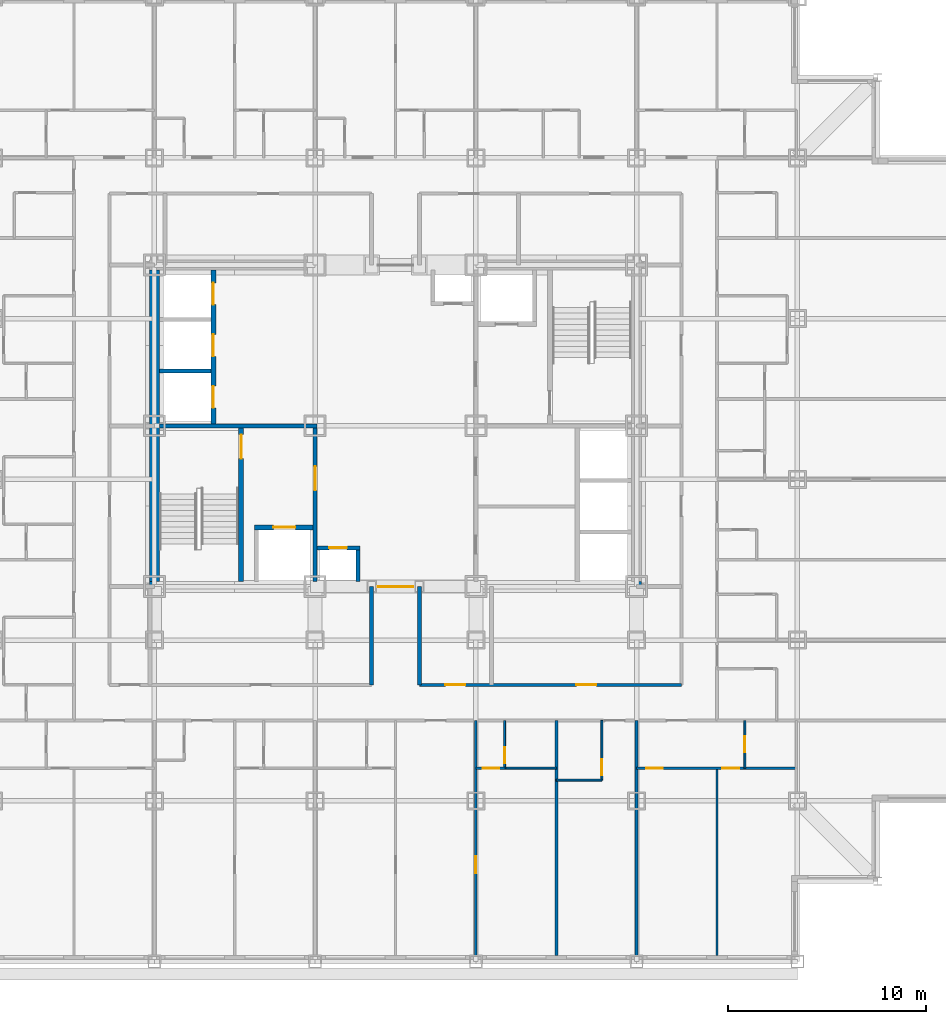
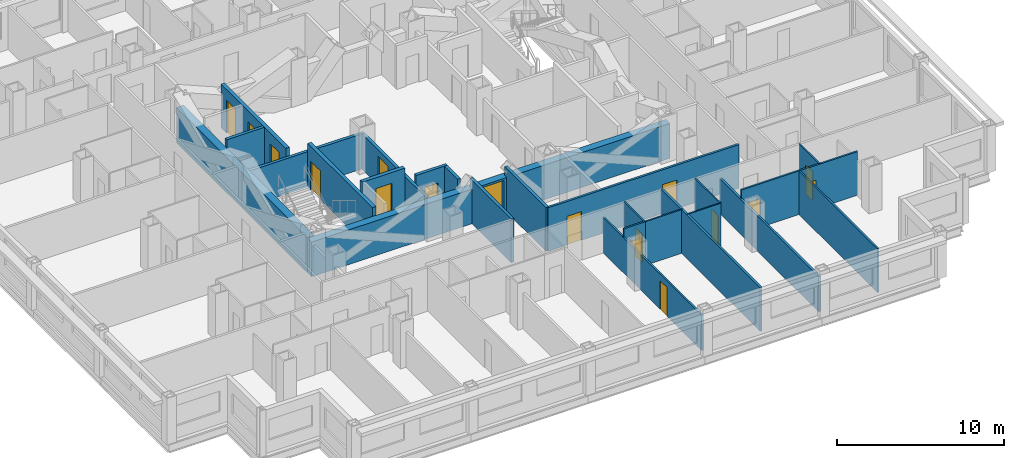
# One storey, part 6 of 12: 24 walls, 17 doors, 17 openings.
"""IFC4 building model written with IfcOpenShell, lengths in metres."""

from ifc_helpers import new_model, si_unit, direction, frame, frame_2d, origin, place, context, subcontext, project, spatial, rectangle, extrude, material, layer, layer_set, type_object, element, fill, save


model = new_model("IFC4")

# Units and contexts
model_context = context("Model", 3, precision=1e-05, world=origin(), true_north=direction((0.0, 1.0)))
body_context = subcontext(model_context, "Body", "Model", "MODEL_VIEW")
ifc_project = project(units=[si_unit("LENGTHUNIT", "METRE"), si_unit("AREAUNIT", "SQUARE_METRE"), si_unit("VOLUMEUNIT", "CUBIC_METRE"), si_unit("PLANEANGLEUNIT", "RADIAN"), si_unit("MASSUNIT", "GRAM", prefix="KILO")], contexts=[model_context])

# Site, building, storey
site_placement = place(None, origin())
site = spatial("IfcSite", under=ifc_project, at=site_placement, CompositionType="ELEMENT")
building_placement = place(site_placement, origin())
building = spatial("IfcBuilding", under=site, at=building_placement, Name="Kopane Lantern Tower", CompositionType="ELEMENT")
storey_placement = place(building_placement, frame((0.0, 0.0, 120.39990234375)))
storey = spatial("IfcBuildingStorey", under=building, at=storey_placement, Name="L30", CompositionType="ELEMENT", Elevation=120.39990234375)

# Wall, opening, door
ifc_material_1 = material(Name="Gypsum board on steel studs", Category="steel")
ifc_layer_1 = layer(ifc_material_1, 0.1201171875)
ifc_layer_set_1 = layer_set([ifc_layer_1], Name="APARTMENT INTERNAL WALL 120")
wall_type_1 = type_object("IfcWallType", Name="APARTMENT INTERNAL WALL 120", PredefinedType="PARTITIONING", material=ifc_layer_set_1)
wall_1_placement = place(storey_placement, frame((32.39990234375, 17.550048828125, 0.0), z_axis=(0.0, 0.0, 1.0), x_axis=(0.0, -1.0, 0.0)))
wall_1 = element("IfcWall", 1, at=wall_1_placement, inside=storey, type_object=wall_type_1, Name="Apartment Internal Wall 120 L30", PredefinedType="PARTITIONING", context=body_context, shape_type="SweptSolid", body=[
    extrude(rectangle(XDim=11.85009765625, YDim=0.1201171875, at=frame_2d((5.925048828125, 0.0))), origin(), (0.0, 0.0, 1.0), 2.577880859375),
])
opening_1_placement = place(wall_1_placement, frame((6.85009765625, 0.0, 0.0)))
opening_1 = element("IfcOpeningElement", 2, at=opening_1_placement, cuts=wall_1, Name="Opening L30-021", PredefinedType="OPENING", context=body_context, shape_type="SweptSolid", body=[
    extrude(rectangle(XDim=0.85009765625, YDim=2.10009765625, at=frame_2d((0.425048828125, 1.050048828125))), frame((0.0, 0.070068359375, 0.0), z_axis=(0.0, -1.0, 0.0), x_axis=(1.0, 0.0, 0.0)), (0.0, 0.0, 1.0), 0.14013671875),
])
ifc_material_2 = material(Name="Timber door set", Category="wood")
door_type_1 = type_object("IfcDoorType", Name="DOOR D4 850x2100", OperationType="SINGLE_SWING_LEFT", PredefinedType="DOOR", material=ifc_material_2)
door_1_placement = place(opening_1_placement, origin())
door_1 = element("IfcDoor", 3, at=door_1_placement, inside=storey, type_object=door_type_1, Name="Door L30-021", OperationType="SINGLE_SWING_LEFT", OverallHeight=2.10009765625, OverallWidth=0.85009765625, PredefinedType="DOOR", context=body_context, shape_type="SweptSolid", body=[
    extrude(rectangle(XDim=0.85009765625, YDim=2.10009765625, at=frame_2d((0.425048828125, 1.050048828125))), frame((0.0, 0.02490234375, 0.0), z_axis=(0.0, -1.0, 0.0), x_axis=(1.0, 0.0, 0.0)), (0.0, 0.0, 1.0), 0.050048828125),
])
fill(opening_1, door_1)

# Wall, openings, doors
wall_2_placement = place(storey_placement, frame((40.5, 15.14990234375, 0.0), z_axis=(0.0, 0.0, 1.0), x_axis=(1.0, 0.0, 0.0)))
wall_2 = element("IfcWall", 4, at=wall_2_placement, inside=storey, type_object=wall_type_1, Name="Apartment Internal Wall 120 L30", PredefinedType="PARTITIONING", context=body_context, shape_type="SweptSolid", body=[
    extrude(rectangle(XDim=8.050048828125, YDim=0.1201171875, at=frame_2d((4.02490234375, 0.0))), origin(), (0.0, 0.0, 1.0), 3.190185546875),
])
opening_2_placement = place(wall_2_placement, frame((0.47509765625, 0.0, 0.0)))
opening_2 = element("IfcOpeningElement", 5, at=opening_2_placement, cuts=wall_2, Name="Opening L30-064", PredefinedType="OPENING", context=body_context, shape_type="SweptSolid", body=[
    extrude(rectangle(XDim=0.85009765625, YDim=2.10009765625, at=frame_2d((0.425048828125, 1.050048828125))), frame((0.0, 0.070068359375, 0.0), z_axis=(0.0, -1.0, 0.0), x_axis=(1.0, 0.0, 0.0)), (0.0, 0.0, 1.0), 0.14013671875),
])
opening_3_placement = place(wall_2_placement, frame((4.324951171875, 0.0, 0.0)))
opening_3 = element("IfcOpeningElement", 6, at=opening_3_placement, cuts=wall_2, Name="Opening L30-066", PredefinedType="OPENING", context=body_context, shape_type="SweptSolid", body=[
    extrude(rectangle(XDim=0.85009765625, YDim=2.10009765625, at=frame_2d((0.425048828125, 1.050048828125))), frame((0.0, 0.070068359375, 0.0), z_axis=(0.0, -1.0, 0.0), x_axis=(1.0, 0.0, 0.0)), (0.0, 0.0, 1.0), 0.14013671875),
])
door_2_placement = place(opening_2_placement, origin())
door_2 = element("IfcDoor", 7, at=door_2_placement, inside=storey, type_object=door_type_1, Name="Door L30-064", OperationType="SINGLE_SWING_LEFT", OverallHeight=2.10009765625, OverallWidth=0.85009765625, PredefinedType="DOOR", context=body_context, shape_type="SweptSolid", body=[
    extrude(rectangle(XDim=0.85009765625, YDim=2.10009765625, at=frame_2d((0.425048828125, 1.050048828125))), frame((0.0, 0.02490234375, 0.0), z_axis=(0.0, -1.0, 0.0), x_axis=(1.0, 0.0, 0.0)), (0.0, 0.0, 1.0), 0.050048828125),
])
fill(opening_2, door_2)
door_3_placement = place(opening_3_placement, origin())
door_3 = element("IfcDoor", 8, at=door_3_placement, inside=storey, type_object=door_type_1, Name="Door L30-066", OperationType="SINGLE_SWING_RIGHT", OverallHeight=2.10009765625, OverallWidth=0.85009765625, PredefinedType="DOOR", context=body_context, shape_type="SweptSolid", body=[
    extrude(rectangle(XDim=0.85009765625, YDim=2.10009765625, at=frame_2d((0.425048828125, 1.050048828125))), frame((0.0, 0.02490234375, 0.0), z_axis=(0.0, -1.0, 0.0), x_axis=(1.0, 0.0, 0.0)), (0.0, 0.0, 1.0), 0.050048828125),
])
fill(opening_3, door_3)

# Wall
wall_3_placement = place(storey_placement, frame((44.550048828125, 15.14990234375, 0.0), z_axis=(0.0, 0.0, 1.0), x_axis=(0.0, -1.0, 0.0)))
element("IfcWall", 9, at=wall_3_placement, inside=storey, type_object=wall_type_1, Name="Apartment Internal Wall 120 L30", PredefinedType="PARTITIONING", context=body_context, shape_type="SweptSolid", body=[
    extrude(rectangle(XDim=9.449951171875, YDim=0.1201171875, at=frame_2d((4.72509765625, 0.0))), origin(), (0.0, 0.0, 1.0), 3.190185546875),
])

# Wall, opening, door
wall_4_placement = place(storey_placement, frame((33.860107421875, 15.14990234375, 0.0), z_axis=(0.0, 0.0, 1.0), x_axis=(-1.0, 0.0, 0.0)))
wall_4 = element("IfcWall", 10, at=wall_4_placement, inside=storey, type_object=wall_type_1, Name="Apartment Internal Wall 120 L30", PredefinedType="PARTITIONING", context=body_context, shape_type="SweptSolid", body=[
    extrude(rectangle(XDim=1.460205078125, YDim=0.1201171875, at=frame_2d((0.72998046875, 0.0))), origin(), (0.0, 0.0, 1.0), 3.190185546875),
])
opening_4_placement = place(wall_4_placement, frame((0.27490234375, 0.0, 0.0)))
opening_4 = element("IfcOpeningElement", 11, at=opening_4_placement, cuts=wall_4, Name="Opening L30-077", PredefinedType="OPENING", context=body_context, shape_type="SweptSolid", body=[
    extrude(rectangle(XDim=0.85009765625, YDim=2.10009765625, at=frame_2d((0.425048828125, 1.050048828125))), frame((0.0, 0.070068359375, 0.0), z_axis=(0.0, -1.0, 0.0), x_axis=(1.0, 0.0, 0.0)), (0.0, 0.0, 1.0), 0.14013671875),
])
door_4_placement = place(opening_4_placement, origin())
door_4 = element("IfcDoor", 12, at=door_4_placement, inside=storey, type_object=door_type_1, Name="Door L30-077", OperationType="SINGLE_SWING_RIGHT", OverallHeight=2.10009765625, OverallWidth=0.85009765625, PredefinedType="DOOR", context=body_context, shape_type="SweptSolid", body=[
    extrude(rectangle(XDim=0.85009765625, YDim=2.10009765625, at=frame_2d((0.425048828125, 1.050048828125))), frame((0.0, 0.02490234375, 0.0), z_axis=(0.0, -1.0, 0.0), x_axis=(1.0, 0.0, 0.0)), (0.0, 0.0, 1.0), 0.050048828125),
])
fill(opening_4, door_4)

# Wall
ifc_material_3 = material(Name="Moisture-resistant board on steel studs", Category="steel")
ifc_layer_2 = layer(ifc_material_3, 0.10009765625)
ifc_layer_set_2 = layer_set([ifc_layer_2], Name="BATHROOM WALL 100")
wall_type_2 = type_object("IfcWallType", Name="BATHROOM WALL 100", PredefinedType="PARTITIONING", material=ifc_layer_set_2)
wall_5_placement = place(storey_placement, frame((33.85009765625, 15.14990234375, 0.0), z_axis=(0.0, 0.0, 1.0), x_axis=(1.0, 0.0, 0.0)))
element("IfcWall", 13, at=wall_5_placement, inside=storey, type_object=wall_type_2, Name="Bathroom Wall 100 L30", PredefinedType="PARTITIONING", context=body_context, shape_type="SweptSolid", body=[
    extrude(rectangle(XDim=2.599853515625, YDim=0.10009765625, at=frame_2d((1.2998046875, 0.0))), origin(), (0.0, 0.0, 1.0), 3.190185546875),
])

# Wall, opening, door
wall_6_placement = place(storey_placement, frame((33.85009765625, 17.550048828125, 0.0), z_axis=(0.0, 0.0, 1.0), x_axis=(0.0, -1.0, 0.0)))
wall_6 = element("IfcWall", 14, at=wall_6_placement, inside=storey, type_object=wall_type_2, Name="Bathroom Wall 100 L30", PredefinedType="PARTITIONING", context=body_context, shape_type="SweptSolid", body=[
    extrude(rectangle(XDim=2.400146484375, YDim=0.10009765625, at=frame_2d((1.2001953125, 0.0))), origin(), (0.0, 0.0, 1.0), 3.190185546875),
])
opening_5_placement = place(wall_6_placement, frame((1.35009765625, 0.0, 0.0)))
opening_5 = element("IfcOpeningElement", 15, at=opening_5_placement, cuts=wall_6, Name="Opening L30-020", PredefinedType="OPENING", context=body_context, shape_type="SweptSolid", body=[
    extrude(rectangle(XDim=0.800048828125, YDim=2.10009765625, at=frame_2d((0.39990234375, 1.050048828125))), frame((0.0, 0.06005859375, 0.0), z_axis=(0.0, -1.0, 0.0), x_axis=(1.0, 0.0, 0.0)), (0.0, 0.0, 1.0), 0.1201171875),
])
ifc_material_4 = material(Name="Timber door set", Category="wood")
door_type_2 = type_object("IfcDoorType", Name="DOOR D2 800x2100", OperationType="SINGLE_SWING_LEFT", PredefinedType="DOOR", material=ifc_material_4)
door_5_placement = place(opening_5_placement, origin())
door_5 = element("IfcDoor", 16, at=door_5_placement, inside=storey, type_object=door_type_2, Name="Door L30-020", OperationType="SINGLE_SWING_LEFT", OverallHeight=2.10009765625, OverallWidth=0.800048828125, PredefinedType="DOOR", context=body_context, shape_type="SweptSolid", body=[
    extrude(rectangle(XDim=0.800048828125, YDim=2.10009765625, at=frame_2d((0.39990234375, 1.050048828125))), frame((0.0, 0.02490234375, 0.0), z_axis=(0.0, -1.0, 0.0), x_axis=(1.0, 0.0, 0.0)), (0.0, 0.0, 1.0), 0.050048828125),
])
fill(opening_5, door_5)

# Wall
wall_7_placement = place(storey_placement, frame((36.449951171875, 14.550048828125, 0.0), z_axis=(0.0, 0.0, 1.0), x_axis=(1.0, 0.0, 0.0)))
element("IfcWall", 17, at=wall_7_placement, inside=storey, type_object=wall_type_2, Name="Bathroom Wall 100 L30", PredefinedType="PARTITIONING", context=body_context, shape_type="SweptSolid", body=[
    extrude(rectangle(XDim=2.300048828125, YDim=0.10009765625, at=frame_2d((1.14990234375, 0.0))), origin(), (0.0, 0.0, 1.0), 3.190185546875),
])

# Wall, opening, door
wall_8_placement = place(storey_placement, frame((38.75, 17.550048828125, 0.0), z_axis=(0.0, 0.0, 1.0), x_axis=(0.0, -1.0, 0.0)))
wall_8 = element("IfcWall", 18, at=wall_8_placement, inside=storey, type_object=wall_type_2, Name="Bathroom Wall 100 L30", PredefinedType="PARTITIONING", context=body_context, shape_type="SweptSolid", body=[
    extrude(rectangle(XDim=3.0, YDim=0.10009765625, at=frame_2d((1.5, 0.0))), origin(), (0.0, 0.0, 1.0), 3.190185546875),
])
opening_6_placement = place(wall_8_placement, frame((1.949951171875, 0.0, 0.0)))
opening_6 = element("IfcOpeningElement", 19, at=opening_6_placement, cuts=wall_8, Name="Opening L30-022", PredefinedType="OPENING", context=body_context, shape_type="SweptSolid", body=[
    extrude(rectangle(XDim=0.800048828125, YDim=2.10009765625, at=frame_2d((0.39990234375, 1.050048828125))), frame((0.0, 0.06005859375, 0.0), z_axis=(0.0, -1.0, 0.0), x_axis=(1.0, 0.0, 0.0)), (0.0, 0.0, 1.0), 0.1201171875),
])
door_6_placement = place(opening_6_placement, origin())
door_6 = element("IfcDoor", 20, at=door_6_placement, inside=storey, type_object=door_type_2, Name="Door L30-022", OperationType="SINGLE_SWING_LEFT", OverallHeight=2.10009765625, OverallWidth=0.800048828125, PredefinedType="DOOR", context=body_context, shape_type="SweptSolid", body=[
    extrude(rectangle(XDim=0.800048828125, YDim=2.10009765625, at=frame_2d((0.39990234375, 1.050048828125))), frame((0.0, 0.02490234375, 0.0), z_axis=(0.0, -1.0, 0.0), x_axis=(1.0, 0.0, 0.0)), (0.0, 0.0, 1.0), 0.050048828125),
])
fill(opening_6, door_6)

wall_9_placement = place(storey_placement, frame((45.949951171875, 17.550048828125, 0.0), z_axis=(0.0, 0.0, 1.0), x_axis=(0.0, -1.0, 0.0)))
wall_9 = element("IfcWall", 21, at=wall_9_placement, inside=storey, type_object=wall_type_2, Name="Bathroom Wall 100 L30", PredefinedType="PARTITIONING", context=body_context, shape_type="SweptSolid", body=[
    extrude(rectangle(XDim=2.400146484375, YDim=0.10009765625, at=frame_2d((1.2001953125, 0.0))), origin(), (0.0, 0.0, 1.0), 3.190185546875),
])
opening_7_placement = place(wall_9_placement, frame((0.800048828125, 0.0, 0.0)))
opening_7 = element("IfcOpeningElement", 22, at=opening_7_placement, cuts=wall_9, Name="Opening L30-065", PredefinedType="OPENING", context=body_context, shape_type="SweptSolid", body=[
    extrude(rectangle(XDim=0.800048828125, YDim=2.10009765625, at=frame_2d((0.39990234375, 1.050048828125))), frame((0.0, 0.06005859375, 0.0), z_axis=(0.0, -1.0, 0.0), x_axis=(1.0, 0.0, 0.0)), (0.0, 0.0, 1.0), 0.1201171875),
])
door_7_placement = place(opening_7_placement, origin())
door_7 = element("IfcDoor", 23, at=door_7_placement, inside=storey, type_object=door_type_2, Name="Door L30-065", OperationType="SINGLE_SWING_LEFT", OverallHeight=2.10009765625, OverallWidth=0.800048828125, PredefinedType="DOOR", context=body_context, shape_type="SweptSolid", body=[
    extrude(rectangle(XDim=0.800048828125, YDim=2.10009765625, at=frame_2d((0.39990234375, 1.050048828125))), frame((0.0, 0.02490234375, 0.0), z_axis=(0.0, -1.0, 0.0), x_axis=(1.0, 0.0, 0.0)), (0.0, 0.0, 1.0), 0.050048828125),
])
fill(opening_7, door_7)

ifc_material_5 = material(Name="Gypsum shaft wall EI 120", Category="gypsum")
ifc_layer_3 = layer(ifc_material_5, 0.5)
ifc_layer_set_3 = layer_set([ifc_layer_3], Name="CORE PERIMETER WALL 500 EI 120")
wall_type_3 = type_object("IfcWallType", Name="CORE PERIMETER WALL 500 EI 120", PredefinedType="SOLIDWALL", material=ifc_layer_set_3)
wall_10_placement = place(storey_placement, frame((15.949951171875, 24.300048828125, 0.0), z_axis=(0.0, 0.0, 1.0), x_axis=(1.0, 0.0, 0.0)))
wall_10 = element("IfcWall", 24, at=wall_10_placement, inside=storey, type_object=wall_type_3, Name="Core shaft wall L30 PS", PredefinedType="SOLIDWALL", context=body_context, shape_type="SweptSolid", body=[
    extrude(rectangle(XDim=24.800048828125, YDim=0.5, at=frame_2d((12.39990234375, 0.0))), origin(), (0.0, 0.0, 1.0), 2.5400390625),
])
opening_8_placement = place(wall_10_placement, frame((11.5, 0.0, 0.0)))
opening_8 = element("IfcOpeningElement", 25, at=opening_8_placement, cuts=wall_10, Name="Opening 30.CE-S", PredefinedType="OPENING", context=body_context, shape_type="SweptSolid", body=[
    extrude(rectangle(XDim=1.800048828125, YDim=2.39990234375, at=frame_2d((0.89990234375, 1.199951171875))), frame((0.0, 0.260009765625, 0.0), z_axis=(0.0, -1.0, 0.0), x_axis=(1.0, 0.0, 0.0)), (0.0, 0.0, 1.0), 0.52001953125),
])
ifc_material_6 = material(Name="Steel door set", Category="steel")
door_type_3 = type_object("IfcDoorType", Name="CORE ENTRY DOOR 1800x2400 FD60S", OperationType="DOUBLE_DOOR_SINGLE_SWING", PredefinedType="DOOR", material=ifc_material_6)
door_8_placement = place(opening_8_placement, origin())
door_8 = element("IfcDoor", 26, at=door_8_placement, inside=storey, type_object=door_type_3, Name="Core entry door L30 south", OperationType="DOUBLE_DOOR_SINGLE_SWING", OverallHeight=2.39990234375, OverallWidth=1.800048828125, PredefinedType="DOOR", context=body_context, shape_type="SweptSolid", body=[
    extrude(rectangle(XDim=1.800048828125, YDim=2.39990234375, at=frame_2d((0.89990234375, 1.199951171875))), frame((0.0, 0.02490234375, 0.0), z_axis=(0.0, -1.0, 0.0), x_axis=(1.0, 0.0, 0.0)), (0.0, 0.0, 1.0), 0.050048828125),
])
fill(opening_8, door_8)

# Wall
wall_11_placement = place(storey_placement, frame((16.199951171875, 24.550048828125, 0.0), z_axis=(0.0, 0.0, 1.0), x_axis=(0.0, 1.0, 0.0)))
element("IfcWall", 27, at=wall_11_placement, inside=storey, type_object=wall_type_3, Name="Core shaft wall L30 PW", PredefinedType="SOLIDWALL", context=body_context, shape_type="SweptSolid", body=[
    extrude(rectangle(XDim=15.699951171875, YDim=0.5, at=frame_2d((7.85009765625, 0.0))), origin(), (0.0, 0.0, 1.0), 2.577880859375),
])

# Wall, opening, door
ifc_material_7 = material(Name="Gypsum shaft wall EI 120", Category="gypsum")
ifc_layer_4 = layer(ifc_material_7, 0.25)
ifc_layer_set_4 = layer_set([ifc_layer_4], Name="CORE SHAFT WALL 250 EI 120")
wall_type_4 = type_object("IfcWallType", Name="CORE SHAFT WALL 250 EI 120", PredefinedType="SOLIDWALL", material=ifc_layer_set_4)
wall_12_placement = place(storey_placement, frame((20.574951171875, 24.550048828125, 0.0), z_axis=(0.0, 0.0, 1.0), x_axis=(0.0, 1.0, 0.0)))
wall_12 = element("IfcWall", 28, at=wall_12_placement, inside=storey, type_object=wall_type_4, Name="Core shaft wall L30 XST1", PredefinedType="SOLIDWALL", context=body_context, shape_type="SweptSolid", body=[
    extrude(rectangle(XDim=7.75, YDim=0.25, at=frame_2d((3.875, 0.0))), origin(), (0.0, 0.0, 1.0), 3.190185546875),
])
opening_9_placement = place(wall_12_placement, frame((6.199951171875, 0.0, 0.0)))
opening_9 = element("IfcOpeningElement", 29, at=opening_9_placement, cuts=wall_12, Name="Opening 30.SD1", PredefinedType="OPENING", context=body_context, shape_type="SweptSolid", body=[
    extrude(rectangle(XDim=1.199951171875, YDim=2.10009765625, at=frame_2d((0.60009765625, 1.050048828125))), frame((0.0, 0.135009765625, 0.0), z_axis=(0.0, -1.0, 0.0), x_axis=(1.0, 0.0, 0.0)), (0.0, 0.0, 1.0), 0.27001953125),
])
ifc_material_8 = material(Name="Steel door set", Category="steel")
door_type_4 = type_object("IfcDoorType", Name="STAIR DOOR 1200x2100 FD60S", OperationType="SINGLE_SWING_LEFT", PredefinedType="DOOR", material=ifc_material_8)
door_9_placement = place(opening_9_placement, origin())
door_9 = element("IfcDoor", 30, at=door_9_placement, inside=storey, type_object=door_type_4, Name="Stair door ST1 L30", OperationType="SINGLE_SWING_LEFT", OverallHeight=2.10009765625, OverallWidth=1.199951171875, PredefinedType="DOOR", context=body_context, shape_type="SweptSolid", body=[
    extrude(rectangle(XDim=1.199951171875, YDim=2.10009765625, at=frame_2d((0.60009765625, 1.050048828125))), frame((0.0, 0.02490234375, 0.0), z_axis=(0.0, -1.0, 0.0), x_axis=(1.0, 0.0, 0.0)), (0.0, 0.0, 1.0), 0.050048828125),
])
fill(opening_9, door_9)

wall_13_placement = place(storey_placement, frame((21.25, 27.27490234375, 0.0), z_axis=(0.0, 0.0, 1.0), x_axis=(1.0, 0.0, 0.0)))
wall_13 = element("IfcWall", 31, at=wall_13_placement, inside=storey, type_object=wall_type_4, Name="Core shaft wall L30 YLF1", PredefinedType="SOLIDWALL", context=body_context, shape_type="SweptSolid", body=[
    extrude(rectangle(XDim=2.949951171875, YDim=0.25, at=frame_2d((1.47509765625, 0.0))), origin(), (0.0, 0.0, 1.0), 3.190185546875),
])
opening_10_placement = place(wall_13_placement, frame((0.949951171875, 0.0, 0.0)))
opening_10 = element("IfcOpeningElement", 32, at=opening_10_placement, cuts=wall_13, Name="Opening 30.LD-LF1", PredefinedType="OPENING", context=body_context, shape_type="SweptSolid", body=[
    extrude(rectangle(XDim=1.10009765625, YDim=2.39990234375, at=frame_2d((0.550048828125, 1.199951171875))), frame((0.0, 0.135009765625, 0.0), z_axis=(0.0, -1.0, 0.0), x_axis=(1.0, 0.0, 0.0)), (0.0, 0.0, 1.0), 0.27001953125),
])
ifc_material_9 = material(Name="Steel door set", Category="steel")
door_type_5 = type_object("IfcDoorType", Name="LIFT LANDING DOOR 1100x2400 FD60", OperationType="DOUBLE_DOOR_SLIDING", PredefinedType="DOOR", material=ifc_material_9)
door_10_placement = place(opening_10_placement, origin())
door_10 = element("IfcDoor", 33, at=door_10_placement, inside=storey, type_object=door_type_5, Name="Landing door LF1 L30", OperationType="DOUBLE_DOOR_SLIDING", OverallHeight=2.39990234375, OverallWidth=1.10009765625, PredefinedType="DOOR", context=body_context, shape_type="SweptSolid", body=[
    extrude(rectangle(XDim=1.10009765625, YDim=2.39990234375, at=frame_2d((0.550048828125, 1.199951171875))), frame((0.0, 0.02490234375, 0.0), z_axis=(0.0, -1.0, 0.0), x_axis=(1.0, 0.0, 0.0)), (0.0, 0.0, 1.0), 0.050048828125),
])
fill(opening_10, door_10)

# Wall, openings, doors
wall_14_placement = place(storey_placement, frame((19.175048828125, 32.5, 0.0), z_axis=(0.0, 0.0, 1.0), x_axis=(0.0, 1.0, 0.0)))
wall_14 = element("IfcWall", 34, at=wall_14_placement, inside=storey, type_object=wall_type_4, Name="Core shaft wall L30 XLH", PredefinedType="SOLIDWALL", context=body_context, shape_type="SweptSolid", body=[
    extrude(rectangle(XDim=7.75, YDim=0.25, at=frame_2d((3.875, 0.0))), origin(), (0.0, 0.0, 1.0), 3.190185546875),
])
opening_11_placement = place(wall_14_placement, frame((0.800048828125, 0.0, 0.0)))
opening_11 = element("IfcOpeningElement", 35, at=opening_11_placement, cuts=wall_14, Name="Opening 30.LD-LH1", PredefinedType="OPENING", context=body_context, shape_type="SweptSolid", body=[
    extrude(rectangle(XDim=1.10009765625, YDim=2.39990234375, at=frame_2d((0.550048828125, 1.199951171875))), frame((0.0, 0.135009765625, 0.0), z_axis=(0.0, -1.0, 0.0), x_axis=(1.0, 0.0, 0.0)), (0.0, 0.0, 1.0), 0.27001953125),
])
opening_12_placement = place(wall_14_placement, frame((3.39990234375, 0.0, 0.0)))
opening_12 = element("IfcOpeningElement", 36, at=opening_12_placement, cuts=wall_14, Name="Opening 30.LD-LH2", PredefinedType="OPENING", context=body_context, shape_type="SweptSolid", body=[
    extrude(rectangle(XDim=1.10009765625, YDim=2.39990234375, at=frame_2d((0.550048828125, 1.199951171875))), frame((0.0, 0.135009765625, 0.0), z_axis=(0.0, -1.0, 0.0), x_axis=(1.0, 0.0, 0.0)), (0.0, 0.0, 1.0), 0.27001953125),
])
opening_13_placement = place(wall_14_placement, frame((6.0, 0.0, 0.0)))
opening_13 = element("IfcOpeningElement", 37, at=opening_13_placement, cuts=wall_14, Name="Opening 30.LD-LH3", PredefinedType="OPENING", context=body_context, shape_type="SweptSolid", body=[
    extrude(rectangle(XDim=1.10009765625, YDim=2.39990234375, at=frame_2d((0.550048828125, 1.199951171875))), frame((0.0, 0.135009765625, 0.0), z_axis=(0.0, -1.0, 0.0), x_axis=(1.0, 0.0, 0.0)), (0.0, 0.0, 1.0), 0.27001953125),
])
door_11_placement = place(opening_11_placement, origin())
door_11 = element("IfcDoor", 38, at=door_11_placement, inside=storey, type_object=door_type_5, Name="Landing door LH1 L30", OperationType="DOUBLE_DOOR_SLIDING", OverallHeight=2.39990234375, OverallWidth=1.10009765625, PredefinedType="DOOR", context=body_context, shape_type="SweptSolid", body=[
    extrude(rectangle(XDim=1.10009765625, YDim=2.39990234375, at=frame_2d((0.550048828125, 1.199951171875))), frame((0.0, 0.02490234375, 0.0), z_axis=(0.0, -1.0, 0.0), x_axis=(1.0, 0.0, 0.0)), (0.0, 0.0, 1.0), 0.050048828125),
])
fill(opening_11, door_11)
door_12_placement = place(opening_12_placement, origin())
door_12 = element("IfcDoor", 39, at=door_12_placement, inside=storey, type_object=door_type_5, Name="Landing door LH2 L30", OperationType="DOUBLE_DOOR_SLIDING", OverallHeight=2.39990234375, OverallWidth=1.10009765625, PredefinedType="DOOR", context=body_context, shape_type="SweptSolid", body=[
    extrude(rectangle(XDim=1.10009765625, YDim=2.39990234375, at=frame_2d((0.550048828125, 1.199951171875))), frame((0.0, 0.02490234375, 0.0), z_axis=(0.0, -1.0, 0.0), x_axis=(1.0, 0.0, 0.0)), (0.0, 0.0, 1.0), 0.050048828125),
])
fill(opening_12, door_12)
door_13_placement = place(opening_13_placement, origin())
door_13 = element("IfcDoor", 40, at=door_13_placement, inside=storey, type_object=door_type_5, Name="Landing door LH3 L30", OperationType="DOUBLE_DOOR_SLIDING", OverallHeight=2.39990234375, OverallWidth=1.10009765625, PredefinedType="DOOR", context=body_context, shape_type="SweptSolid", body=[
    extrude(rectangle(XDim=1.10009765625, YDim=2.39990234375, at=frame_2d((0.550048828125, 1.199951171875))), frame((0.0, 0.02490234375, 0.0), z_axis=(0.0, -1.0, 0.0), x_axis=(1.0, 0.0, 0.0)), (0.0, 0.0, 1.0), 0.050048828125),
])
fill(opening_13, door_13)

ifc_material_10 = material(Name="Gypsum board on steel studs", Category="steel")
ifc_layer_5 = layer(ifc_material_10, 0.14990234375)
ifc_layer_set_5 = layer_set([ifc_layer_5], Name="CORRIDOR WALL 150 EI 60")
wall_type_5 = type_object("IfcWallType", Name="CORRIDOR WALL 150 EI 60", PredefinedType="PARTITIONING", material=ifc_layer_set_5)
wall_15_placement = place(storey_placement, frame((29.56005859375, 19.35009765625, 0.0), z_axis=(0.0, 0.0, 1.0), x_axis=(1.0, 0.0, 0.0)))
wall_15 = element("IfcWall", 41, at=wall_15_placement, inside=storey, type_object=wall_type_5, Name="Corridor Wall 150 Ei 60 L30", PredefinedType="PARTITIONING", context=body_context, shape_type="SweptSolid", body=[
    extrude(rectangle(XDim=13.18994140625, YDim=0.14990234375, at=frame_2d((6.594970703125, 0.0))), origin(), (0.0, 0.0, 1.0), 3.190185546875),
])
opening_14_placement = place(wall_15_placement, frame((1.30810546875, 0.0, 0.0)))
opening_14 = element("IfcOpeningElement", 42, at=opening_14_placement, cuts=wall_15, Name="Opening L30-007", PredefinedType="OPENING", context=body_context, shape_type="SweptSolid", body=[
    extrude(rectangle(XDim=1.0, YDim=2.10009765625, at=frame_2d((0.5, 1.050048828125))), frame((0.0, 0.0849609375, 0.0), z_axis=(0.0, -1.0, 0.0), x_axis=(1.0, 0.0, 0.0)), (0.0, 0.0, 1.0), 0.169921875),
])
opening_15_placement = place(wall_15_placement, frame((7.908203125, 0.0, 0.0)))
opening_15 = element("IfcOpeningElement", 43, at=opening_15_placement, cuts=wall_15, Name="Opening L30-008", PredefinedType="OPENING", context=body_context, shape_type="SweptSolid", body=[
    extrude(rectangle(XDim=1.0, YDim=2.10009765625, at=frame_2d((0.5, 1.050048828125))), frame((0.0, 0.0849609375, 0.0), z_axis=(0.0, -1.0, 0.0), x_axis=(1.0, 0.0, 0.0)), (0.0, 0.0, 1.0), 0.169921875),
])
ifc_material_11 = material(Name="Steel door set", Category="steel")
door_type_6 = type_object("IfcDoorType", Name="DOOR D5 1000x2100 FD60", OperationType="SINGLE_SWING_LEFT", PredefinedType="DOOR", material=ifc_material_11)
door_14_placement = place(opening_14_placement, origin())
door_14 = element("IfcDoor", 44, at=door_14_placement, inside=storey, type_object=door_type_6, Name="Door L30-007", OperationType="SINGLE_SWING_LEFT", OverallHeight=2.10009765625, OverallWidth=1.0, PredefinedType="DOOR", context=body_context, shape_type="SweptSolid", body=[
    extrude(rectangle(XDim=1.0, YDim=2.10009765625, at=frame_2d((0.5, 1.050048828125))), frame((0.0, 0.02490234375, 0.0), z_axis=(0.0, -1.0, 0.0), x_axis=(1.0, 0.0, 0.0)), (0.0, 0.0, 1.0), 0.050048828125),
])
fill(opening_14, door_14)
door_15_placement = place(opening_15_placement, origin())
door_15 = element("IfcDoor", 45, at=door_15_placement, inside=storey, type_object=door_type_6, Name="Door L30-008", OperationType="SINGLE_SWING_RIGHT", OverallHeight=2.10009765625, OverallWidth=1.0, PredefinedType="DOOR", context=body_context, shape_type="SweptSolid", body=[
    extrude(rectangle(XDim=1.0, YDim=2.10009765625, at=frame_2d((0.5, 1.050048828125))), frame((0.0, 0.02490234375, 0.0), z_axis=(0.0, -1.0, 0.0), x_axis=(1.0, 0.0, 0.0)), (0.0, 0.0, 1.0), 0.050048828125),
])
fill(opening_15, door_15)

# Walls
ifc_material_12 = material(Name="Gypsum board on steel studs", Category="steel")
ifc_layer_6 = layer(ifc_material_12, 0.14990234375)
ifc_layer_set_6 = layer_set([ifc_layer_6], Name="DEMISING WALL 150 EI 60")
wall_type_6 = type_object("IfcWallType", Name="DEMISING WALL 150 EI 60", PredefinedType="PARTITIONING", material=ifc_layer_set_6)
wall_16_placement = place(storey_placement, frame((36.449951171875, 17.550048828125, 0.0), z_axis=(0.0, 0.0, 1.0), x_axis=(0.0, -1.0, 0.0)))
element("IfcWall", 46, at=wall_16_placement, inside=storey, type_object=wall_type_6, Name="Demising Wall 150 Ei 60 L30", PredefinedType="PARTITIONING", context=body_context, shape_type="SweptSolid", body=[
    extrude(rectangle(XDim=11.85009765625, YDim=0.14990234375, at=frame_2d((5.925048828125, 0.0))), origin(), (0.0, 0.0, 1.0), 3.190185546875),
])
wall_17_placement = place(storey_placement, frame((40.5, 17.550048828125, 0.0), z_axis=(0.0, 0.0, 1.0), x_axis=(0.0, -1.0, 0.0)))
element("IfcWall", 47, at=wall_17_placement, inside=storey, type_object=wall_type_6, Name="Demising Wall 150 Ei 60 L30", PredefinedType="PARTITIONING", context=body_context, shape_type="SweptSolid", body=[
    extrude(rectangle(XDim=11.85009765625, YDim=0.14990234375, at=frame_2d((5.925048828125, 0.0))), origin(), (0.0, 0.0, 1.0), 2.577880859375),
])
ifc_material_13 = material(Name="Concrete masonry", Category="masonry")
ifc_layer_7 = layer(ifc_material_13, 0.199951171875)
ifc_layer_set_7 = layer_set([ifc_layer_7], Name="PLANT ROOM WALL 200 EI 120")
wall_type_7 = type_object("IfcWallType", Name="PLANT ROOM WALL 200 EI 120", PredefinedType="SOLIDWALL", material=ifc_layer_set_7)
for number, where, z_axis, x_axis, name in (
    (48, (27.14990234375, 19.35009765625, 0.0), (0.0, 0.0, 1.0), (0.0, 1.0, 0.0), "Plant Room Wall 200 Ei 120 L30"),
    (49, (29.550048828125, 19.35009765625, 0.0), (0.0, 0.0, 1.0), (0.0, 1.0, 0.0), "Plant Room Wall 200 Ei 120 L30"),
):
    element("IfcWall", number, at=place(storey_placement, frame(where, z_axis=z_axis, x_axis=x_axis)), inside=storey, type_object=wall_type_7, Name=name, PredefinedType="SOLIDWALL", context=body_context, shape_type="SweptSolid", body=[
        extrude(rectangle(XDim=4.949951171875, YDim=0.199951171875, at=frame_2d((2.47509765625, 0.0))), origin(), (0.0, 0.0, 1.0), 3.190185546875),
    ])
ifc_material_14 = material(Name="Gypsum shaft wall EI 120", Category="gypsum")
ifc_layer_8 = layer(ifc_material_14, 0.199951171875)
ifc_layer_set_8 = layer_set([ifc_layer_8], Name="SHAFT WALL 200 EI 120")
wall_type_8 = type_object("IfcWallType", Name="SHAFT WALL 200 EI 120", PredefinedType="SOLIDWALL", material=ifc_layer_set_8)
wall_18_placement = place(storey_placement, frame((16.449951171875, 32.39990234375, 0.0), z_axis=(0.0, 0.0, 1.0), x_axis=(1.0, 0.0, 0.0)))
element("IfcWall", 50, at=wall_18_placement, inside=storey, type_object=wall_type_8, Name="Core shaft wall L30 Y324W", PredefinedType="SOLIDWALL", context=body_context, shape_type="SweptSolid", body=[
    extrude(rectangle(XDim=7.949951171875, YDim=0.199951171875, at=frame_2d((3.97509765625, 0.0))), origin(), (0.0, 0.0, 1.0), 2.577880859375),
])

# Wall, opening, door
wall_19_placement = place(storey_placement, frame((24.300048828125, 24.550048828125, 0.0), z_axis=(0.0, 0.0, 1.0), x_axis=(0.0, 1.0, 0.0)))
wall_19 = element("IfcWall", 51, at=wall_19_placement, inside=storey, type_object=wall_type_8, Name="Core shaft wall L30 X243", PredefinedType="SOLIDWALL", context=body_context, shape_type="SweptSolid", body=[
    extrude(rectangle(XDim=7.75, YDim=0.199951171875, at=frame_2d((3.875, 0.0))), origin(), (0.0, 0.0, 1.0), 2.577880859375),
])
opening_16_placement = place(wall_19_placement, frame((4.60009765625, 0.0, 0.0)))
opening_16 = element("IfcOpeningElement", 52, at=opening_16_placement, cuts=wall_19, Name="Opening 30.FL1", PredefinedType="OPENING", context=body_context, shape_type="SweptSolid", body=[
    extrude(rectangle(XDim=1.199951171875, YDim=2.10009765625, at=frame_2d((0.60009765625, 1.050048828125))), frame((0.0, 0.10986328125, 0.0), z_axis=(0.0, -1.0, 0.0), x_axis=(1.0, 0.0, 0.0)), (0.0, 0.0, 1.0), 0.219970703125),
])
ifc_material_15 = material(Name="Steel door set", Category="steel")
door_type_7 = type_object("IfcDoorType", Name="FIREFIGHTING LOBBY DOOR 1200x2100 FD60S", OperationType="SINGLE_SWING_RIGHT", PredefinedType="DOOR", material=ifc_material_15)
door_16_placement = place(opening_16_placement, origin())
door_16 = element("IfcDoor", 53, at=door_16_placement, inside=storey, type_object=door_type_7, Name="Firefighting lobby door FL1 L30", OperationType="SINGLE_SWING_LEFT", OverallHeight=2.10009765625, OverallWidth=1.199951171875, PredefinedType="DOOR", context=body_context, shape_type="SweptSolid", body=[
    extrude(rectangle(XDim=1.199951171875, YDim=2.10009765625, at=frame_2d((0.60009765625, 1.050048828125))), frame((0.0, 0.02490234375, 0.0), z_axis=(0.0, -1.0, 0.0), x_axis=(1.0, 0.0, 0.0)), (0.0, 0.0, 1.0), 0.050048828125),
])
fill(opening_16, door_16)

# Walls
wall_20_placement = place(storey_placement, frame((16.449951171875, 35.14990234375, 0.0), z_axis=(0.0, 0.0, 1.0), x_axis=(1.0, 0.0, 0.0)))
element("IfcWall", 54, at=wall_20_placement, inside=storey, type_object=wall_type_8, Name="Core shaft wall L30 YLH12", PredefinedType="SOLIDWALL", context=body_context, shape_type="SweptSolid", body=[
    extrude(rectangle(XDim=2.60009765625, YDim=0.199951171875, at=frame_2d((1.300048828125, 0.0))), origin(), (0.0, 0.0, 1.0), 3.190185546875),
])
wall_21_placement = place(storey_placement, frame((26.449951171875, 24.550048828125, 0.0), z_axis=(0.0, 0.0, 1.0), x_axis=(0.0, 1.0, 0.0)))
element("IfcWall", 55, at=wall_21_placement, inside=storey, type_object=wall_type_8, Name="Core shaft wall L30 XRS1", PredefinedType="SOLIDWALL", context=body_context, shape_type="SweptSolid", body=[
    extrude(rectangle(XDim=1.599853515625, YDim=0.199951171875, at=frame_2d((0.7998046875, 0.0))), origin(), (0.0, 0.0, 1.0), 3.190185546875),
])

# Wall, opening, door
wall_22_placement = place(storey_placement, frame((24.39990234375, 26.25, 0.0), z_axis=(0.0, 0.0, 1.0), x_axis=(1.0, 0.0, 0.0)))
wall_22 = element("IfcWall", 56, at=wall_22_placement, inside=storey, type_object=wall_type_8, Name="Core shaft wall L30 YRS1", PredefinedType="SOLIDWALL", context=body_context, shape_type="SweptSolid", body=[
    extrude(rectangle(XDim=2.150146484375, YDim=0.199951171875, at=frame_2d((1.0751953125, 0.0))), origin(), (0.0, 0.0, 1.0), 3.190185546875),
])
opening_17_placement = place(wall_22_placement, frame((0.60009765625, 0.0, 0.0)))
opening_17 = element("IfcOpeningElement", 57, at=opening_17_placement, cuts=wall_22, Name="Opening 30.RS1", PredefinedType="OPENING", context=body_context, shape_type="SweptSolid", body=[
    extrude(rectangle(XDim=0.89990234375, YDim=2.10009765625, at=frame_2d((0.449951171875, 1.050048828125))), frame((0.0, 0.10986328125, 0.0), z_axis=(0.0, -1.0, 0.0), x_axis=(1.0, 0.0, 0.0)), (0.0, 0.0, 1.0), 0.219970703125),
])
ifc_material_16 = material(Name="Steel door set", Category="steel")
door_type_8 = type_object("IfcDoorType", Name="RISER ACCESS DOOR 900x2100 FD60", OperationType="SINGLE_SWING_LEFT", PredefinedType="DOOR", material=ifc_material_16)
door_17_placement = place(opening_17_placement, origin())
door_17 = element("IfcDoor", 58, at=door_17_placement, inside=storey, type_object=door_type_8, Name="Riser access door RS1 L30", OperationType="SINGLE_SWING_LEFT", OverallHeight=2.10009765625, OverallWidth=0.89990234375, PredefinedType="DOOR", context=body_context, shape_type="SweptSolid", body=[
    extrude(rectangle(XDim=0.89990234375, YDim=2.10009765625, at=frame_2d((0.449951171875, 1.050048828125))), frame((0.0, 0.02490234375, 0.0), z_axis=(0.0, -1.0, 0.0), x_axis=(1.0, 0.0, 0.0)), (0.0, 0.0, 1.0), 0.050048828125),
])
fill(opening_17, door_17)

save(model, "model.ifc")
